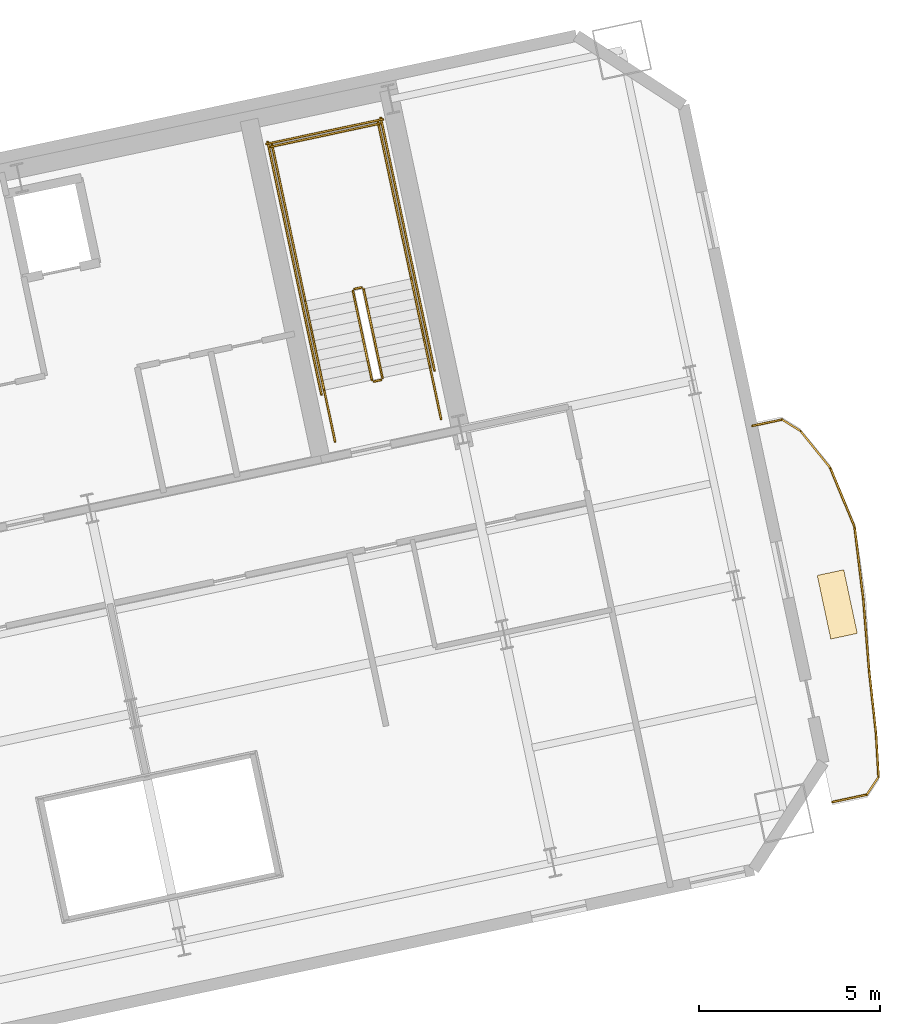
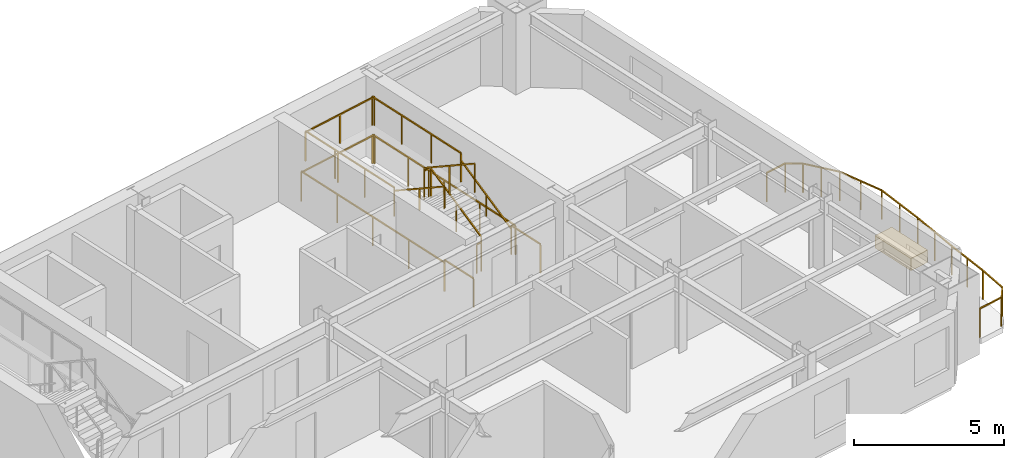
# One storey, part 13 of 13: 24 railings, 1 covering.
"""IFC4 building model written with IfcOpenShell, lengths in metres."""

from ifc_helpers import new_model, si_unit, direction, frame, origin, origin_2d, place, context, subcontext, project, spatial, rectangle, extrude, material, layer, layer_set, type_object, element, save


model = new_model("IFC4")

# Units and contexts
model_context = context("Model", 3, precision=1e-05, world=origin(), true_north=direction((0.0, 1.0)))
body_context = subcontext(model_context, "Body", "Model", "MODEL_VIEW")
ifc_project = project(units=[si_unit("LENGTHUNIT", "METRE"), si_unit("AREAUNIT", "SQUARE_METRE"), si_unit("VOLUMEUNIT", "CUBIC_METRE"), si_unit("PLANEANGLEUNIT", "RADIAN"), si_unit("MASSUNIT", "GRAM", prefix="KILO")], contexts=[model_context])

# Site, building, storey
site_placement = place(None, origin())
site = spatial("IfcSite", under=ifc_project, at=site_placement, CompositionType="ELEMENT")
building_placement = place(site_placement, origin())
building = spatial("IfcBuilding", under=site, at=building_placement, Name="Haevon Station Towers", CompositionType="ELEMENT")
storey_placement = place(building_placement, frame((0.0, 0.0, 126.300048828125)))
storey = spatial("IfcBuildingStorey", under=building, at=storey_placement, Name="L34", CompositionType="ELEMENT", Elevation=126.300048828125)

# Railings
ifc_material_1 = material(Name="Steel S355", Category="steel")
railing_type_1 = type_object("IfcRailingType", Name="GRD-EXT1200", PredefinedType="GUARDRAIL", material=ifc_material_1)
railing_1_placement = place(storey_placement, frame((129.5849609375, 31.5009765625, 0.0)))
element("IfcRailing", 1, at=railing_1_placement, inside=storey, type_object=railing_type_1, Name="L34 Perimeter Guardrail 1", PredefinedType="GUARDRAIL", context=body_context, shape_type="SweptSolid", body=[
    extrude(rectangle(XDim=0.048095703125, YDim=0.048095703125, at=origin_2d()), frame((0.0, 0.0, 1.17578125), z_axis=(0.977706975704, 0.209973973767, 0.0), x_axis=(-0.209973973767, 0.977706975704, 0.0)), (0.0, 0.0, 1.0), 0.974365234375),
    extrude(rectangle(XDim=0.0419921875, YDim=0.0419921875, at=origin_2d()), origin(), (0.0, 0.0, 1.0), 1.15185546875),
    extrude(rectangle(XDim=0.0419921875, YDim=0.0419921875, at=origin_2d()), frame((0.95263671875, 0.20458984375, 0.0)), (0.0, 0.0, 1.0), 1.15185546875),
])
railing_2_placement = place(storey_placement, frame((130.53759765625, 31.70556640625, 0.0)))
element("IfcRailing", 2, at=railing_2_placement, inside=storey, type_object=railing_type_1, Name="L34 Perimeter Guardrail 2", PredefinedType="GUARDRAIL", context=body_context, shape_type="SweptSolid", body=[
    extrude(rectangle(XDim=0.048095703125, YDim=0.048095703125, at=origin_2d()), frame((0.0, 0.0, 1.17578125), z_axis=(0.549194553992, 0.835694526645, 0.0), x_axis=(-0.835694526645, 0.549194553992, 0.0)), (0.0, 0.0, 1.0), 0.58447265625),
    extrude(rectangle(XDim=0.0419921875, YDim=0.0419921875, at=origin_2d()), origin(), (0.0, 0.0, 1.0), 1.15185546875),
    extrude(rectangle(XDim=0.0419921875, YDim=0.0419921875, at=origin_2d()), frame((0.321044921875, 0.488525390625, 0.0)), (0.0, 0.0, 1.0), 1.15185546875),
])
railing_3_placement = place(storey_placement, frame((130.858642578125, 32.194091796875, 0.0)))
element("IfcRailing", 3, at=railing_3_placement, inside=storey, type_object=railing_type_1, Name="L34 Perimeter Guardrail 3", PredefinedType="GUARDRAIL", context=body_context, shape_type="SweptSolid", body=[
    extrude(rectangle(XDim=0.048095703125, YDim=0.048095703125, at=origin_2d()), frame((0.0, 0.0, 1.17578125), z_axis=(-0.05733169626, 0.998355185595, 0.0), x_axis=(-0.998355185595, -0.05733169626, 0.0)), (0.0, 0.0, 1.0), 1.183837890625),
    extrude(rectangle(XDim=0.0419921875, YDim=0.0419921875, at=origin_2d()), origin(), (0.0, 0.0, 1.0), 1.15185546875),
    extrude(rectangle(XDim=0.0419921875, YDim=0.0419921875, at=origin_2d()), frame((-0.06787109375, 1.181884765625, 0.0)), (0.0, 0.0, 1.0), 1.15185546875),
])
railing_4_placement = place(storey_placement, frame((130.790771484375, 33.3759765625, 0.0)))
element("IfcRailing", 4, at=railing_4_placement, inside=storey, type_object=railing_type_1, Name="L34 Perimeter Guardrail 4", PredefinedType="GUARDRAIL", context=body_context, shape_type="SweptSolid", body=[
    extrude(rectangle(XDim=0.048095703125, YDim=0.048095703125, at=origin_2d()), frame((0.0, 0.0, 1.17578125), z_axis=(-0.10867944311, 0.994076847455, 0.0), x_axis=(-0.994076847455, -0.10867944311, 0.0)), (0.0, 0.0, 1.0), 1.759033203125),
    extrude(rectangle(XDim=0.0419921875, YDim=0.0419921875, at=origin_2d()), origin(), (0.0, 0.0, 1.0), 1.15185546875),
    extrude(rectangle(XDim=0.0419921875, YDim=0.0419921875, at=origin_2d()), frame((-0.095703125, 0.874267578125, 0.0)), (0.0, 0.0, 1.0), 1.15185546875),
    extrude(rectangle(XDim=0.0419921875, YDim=0.0419921875, at=origin_2d()), frame((-0.191162109375, 1.74853515625, 0.0)), (0.0, 0.0, 1.0), 1.15185546875),
])
railing_5_placement = place(storey_placement, frame((130.599609375, 35.12451171875, 0.0)))
element("IfcRailing", 5, at=railing_5_placement, inside=storey, type_object=railing_type_1, Name="L34 Perimeter Guardrail 5", PredefinedType="GUARDRAIL", context=body_context, shape_type="SweptSolid", body=[
    extrude(rectangle(XDim=0.048095703125, YDim=0.048095703125, at=origin_2d()), frame((0.0, 0.0, 1.17578125), z_axis=(-0.081584181363, 0.996666454413, 0.0), x_axis=(-0.996666454413, -0.081584181363, 0.0)), (0.0, 0.0, 1.0), 2.0048828125),
    extrude(rectangle(XDim=0.0419921875, YDim=0.0419921875, at=origin_2d()), origin(), (0.0, 0.0, 1.0), 1.15185546875),
    extrude(rectangle(XDim=0.0419921875, YDim=0.0419921875, at=origin_2d()), frame((-0.081787109375, 0.9990234375, 0.0)), (0.0, 0.0, 1.0), 1.15185546875),
    extrude(rectangle(XDim=0.0419921875, YDim=0.0419921875, at=origin_2d()), frame((-0.16357421875, 1.998291015625, 0.0)), (0.0, 0.0, 1.0), 1.15185546875),
])
railing_6_placement = place(storey_placement, frame((130.43603515625, 37.122802734375, 0.0)))
element("IfcRailing", 6, at=railing_6_placement, inside=storey, type_object=railing_type_1, Name="L34 Perimeter Guardrail 6", PredefinedType="GUARDRAIL", context=body_context, shape_type="SweptSolid", body=[
    extrude(rectangle(XDim=0.048095703125, YDim=0.048095703125, at=origin_2d()), frame((0.0, 0.0, 1.17578125), z_axis=(-0.120010837875, 0.992772581608, 0.0), x_axis=(-0.992772581608, -0.120010837875, 0.0)), (0.0, 0.0, 1.0), 2.001708984375),
    extrude(rectangle(XDim=0.0419921875, YDim=0.0419921875, at=origin_2d()), origin(), (0.0, 0.0, 1.0), 1.15185546875),
    extrude(rectangle(XDim=0.0419921875, YDim=0.0419921875, at=origin_2d()), frame((-0.1201171875, 0.99365234375, 0.0)), (0.0, 0.0, 1.0), 1.15185546875),
    extrude(rectangle(XDim=0.0419921875, YDim=0.0419921875, at=origin_2d()), frame((-0.240234375, 1.9873046875, 0.0)), (0.0, 0.0, 1.0), 1.15185546875),
])
railing_7_placement = place(storey_placement, frame((130.19580078125, 39.110107421875, 0.0)))
element("IfcRailing", 7, at=railing_7_placement, inside=storey, type_object=railing_type_1, Name="L34 Perimeter Guardrail 7", PredefinedType="GUARDRAIL", context=body_context, shape_type="SweptSolid", body=[
    extrude(rectangle(XDim=0.048095703125, YDim=0.048095703125, at=origin_2d()), frame((0.0, 0.0, 1.17578125), z_axis=(-0.380057615919, 0.924962814702, 0.0), x_axis=(-0.924962814702, -0.380057615919, 0.0)), (0.0, 0.0, 1.0), 1.774169921875),
    extrude(rectangle(XDim=0.0419921875, YDim=0.0419921875, at=origin_2d()), origin(), (0.0, 0.0, 1.0), 1.15185546875),
    extrude(rectangle(XDim=0.0419921875, YDim=0.0419921875, at=origin_2d()), frame((-0.337158203125, 0.820556640625, 0.0)), (0.0, 0.0, 1.0), 1.15185546875),
    extrude(rectangle(XDim=0.0419921875, YDim=0.0419921875, at=origin_2d()), frame((-0.67431640625, 1.64111328125, 0.0)), (0.0, 0.0, 1.0), 1.15185546875),
])
railing_8_placement = place(storey_placement, frame((129.521484375, 40.751220703125, 0.0)))
element("IfcRailing", 8, at=railing_8_placement, inside=storey, type_object=railing_type_1, Name="L34 Perimeter Guardrail 8", PredefinedType="GUARDRAIL", context=body_context, shape_type="SweptSolid", body=[
    extrude(rectangle(XDim=0.048095703125, YDim=0.048095703125, at=origin_2d()), frame((0.0, 0.0, 1.17578125), z_axis=(-0.628228814181, 0.778028635098, 0.0), x_axis=(-0.778028635098, -0.628228814181, 0.0)), (0.0, 0.0, 1.0), 1.31201171875),
    extrude(rectangle(XDim=0.0419921875, YDim=0.0419921875, at=origin_2d()), origin(), (0.0, 0.0, 1.0), 1.15185546875),
    extrude(rectangle(XDim=0.0419921875, YDim=0.0419921875, at=origin_2d()), frame((-0.412109375, 0.51025390625, 0.0)), (0.0, 0.0, 1.0), 1.15185546875),
    extrude(rectangle(XDim=0.0419921875, YDim=0.0419921875, at=origin_2d()), frame((-0.82421875, 1.020751953125, 0.0)), (0.0, 0.0, 1.0), 1.15185546875),
])
railing_9_placement = place(storey_placement, frame((128.697265625, 41.77197265625, 0.0)))
element("IfcRailing", 9, at=railing_9_placement, inside=storey, type_object=railing_type_1, Name="L34 Perimeter Guardrail 9", PredefinedType="GUARDRAIL", context=body_context, shape_type="SweptSolid", body=[
    extrude(rectangle(XDim=0.048095703125, YDim=0.048095703125, at=origin_2d()), frame((0.0, 0.0, 1.17578125), z_axis=(-0.850160096913, 0.526524272581, 0.0), x_axis=(-0.526524272581, -0.850160096913, 0.0)), (0.0, 0.0, 1.0), 0.594482421875),
    extrude(rectangle(XDim=0.0419921875, YDim=0.0419921875, at=origin_2d()), origin(), (0.0, 0.0, 1.0), 1.15185546875),
    extrude(rectangle(XDim=0.0419921875, YDim=0.0419921875, at=origin_2d()), frame((-0.50537109375, 0.31298828125, 0.0)), (0.0, 0.0, 1.0), 1.15185546875),
])
railing_10_placement = place(storey_placement, frame((128.19189453125, 42.0849609375, 0.0)))
element("IfcRailing", 10, at=railing_10_placement, inside=storey, type_object=railing_type_1, Name="L34 Perimeter Guardrail 10", PredefinedType="GUARDRAIL", context=body_context, shape_type="SweptSolid", body=[
    extrude(rectangle(XDim=0.048095703125, YDim=0.048095703125, at=origin_2d()), frame((0.0, 0.0, 1.17578125), z_axis=(-0.978617737227, -0.20568744343, 0.0), x_axis=(0.20568744343, -0.978617737227, 0.0)), (0.0, 0.0, 1.0), 0.837890625),
    extrude(rectangle(XDim=0.0419921875, YDim=0.0419921875, at=origin_2d()), origin(), (0.0, 0.0, 1.0), 1.15185546875),
    extrude(rectangle(XDim=0.0419921875, YDim=0.0419921875, at=origin_2d()), frame((-0.820068359375, -0.17236328125, 0.0)), (0.0, 0.0, 1.0), 1.15185546875),
])
railing_type_2 = type_object("IfcRailingType", Name="GRD-STR1200", PredefinedType="GUARDRAIL", material=ifc_material_1)
railing_11_placement = place(storey_placement, frame((117.128662109375, 43.23974609375, 0.1650390625)))
element("IfcRailing", 11, at=railing_11_placement, inside=storey, type_object=railing_type_2, Name="L34 ST4 Stair Guard 1", PredefinedType="GUARDRAIL", context=body_context, shape_type="SweptSolid", body=[
    extrude(rectangle(XDim=0.048095703125, YDim=0.048095703125, at=origin_2d()), frame((0.0, 0.0, 1.17578125), z_axis=(-0.179128856099, 0.842723639875, 0.507670877349), x_axis=(-0.978147030254, -0.207914374695, 0.0)), (0.0, 0.0, 1.0), 2.9248046875),
    extrude(rectangle(XDim=0.0419921875, YDim=0.0419921875, at=origin_2d()), origin(), (0.0, 0.0, 1.0), 1.15185546875),
    extrude(rectangle(XDim=0.0419921875, YDim=0.0419921875, at=origin_2d()), frame((-0.261962890625, 1.232421875, 0.742431640625)), (0.0, 0.0, 1.0), 1.15185546875),
    extrude(rectangle(XDim=0.0419921875, YDim=0.0419921875, at=origin_2d()), frame((-0.52392578125, 2.46484375, 1.48486328125)), (0.0, 0.0, 1.0), 1.15185546875),
])
railing_12_placement = place(storey_placement, frame((116.54541015625, 45.7431640625, 1.64990234375)))
element("IfcRailing", 12, at=railing_12_placement, inside=storey, type_object=railing_type_2, Name="L34 ST4 Stair Guard 2", PredefinedType="GUARDRAIL", context=body_context, shape_type="SweptSolid", body=[
    extrude(rectangle(XDim=0.048095703125, YDim=0.048095703125, at=origin_2d()), frame((0.0, 0.0, 1.17578125), z_axis=(-0.97826412705, -0.207362720198, 0.0), x_axis=(0.207362720198, -0.97826412705, 0.0)), (0.0, 0.0, 1.0), 0.2001953125),
    extrude(rectangle(XDim=0.0419921875, YDim=0.0419921875, at=origin_2d()), origin(), (0.0, 0.0, 1.0), 1.15185546875),
    extrude(rectangle(XDim=0.0419921875, YDim=0.0419921875, at=origin_2d()), frame((-0.19580078125, -0.04150390625, 0.0)), (0.0, 0.0, 1.0), 1.15185546875),
])
railing_13_placement = place(storey_placement, frame((117.925048828125, 45.9853515625, 1.64990234375)))
element("IfcRailing", 13, at=railing_13_placement, inside=storey, type_object=railing_type_2, Name="L34 ST4 Stair Guard 3", PredefinedType="GUARDRAIL", context=body_context, shape_type="SweptSolid", body=[
    extrude(rectangle(XDim=0.048095703125, YDim=0.048095703125, at=origin_2d()), frame((0.0, 0.0, 1.17578125), z_axis=(-0.207876551949, 0.978155069071, 0.0), x_axis=(-0.978155069071, -0.207876551949, 0.0)), (0.0, 0.0, 1.0), 4.429931640625),
    extrude(rectangle(XDim=0.0419921875, YDim=0.0419921875, at=origin_2d()), origin(), (0.0, 0.0, 1.0), 1.15185546875),
    extrude(rectangle(XDim=0.0419921875, YDim=0.0419921875, at=origin_2d()), frame((-0.306884765625, 1.4443359375, 0.0)), (0.0, 0.0, 1.0), 1.15185546875),
    extrude(rectangle(XDim=0.0419921875, YDim=0.0419921875, at=origin_2d()), frame((-0.614013671875, 2.888916015625, 0.0)), (0.0, 0.0, 1.0), 1.15185546875),
    extrude(rectangle(XDim=0.0419921875, YDim=0.0419921875, at=origin_2d()), frame((-0.9208984375, 4.333251953125, 0.0)), (0.0, 0.0, 1.0), 1.15185546875),
])
railing_14_placement = place(storey_placement, frame((114.99072265625, 45.361572265625, 1.64990234375)))
element("IfcRailing", 14, at=railing_14_placement, inside=storey, type_object=railing_type_2, Name="L34 ST4 Stair Guard 4", PredefinedType="GUARDRAIL", context=body_context, shape_type="SweptSolid", body=[
    extrude(rectangle(XDim=0.048095703125, YDim=0.048095703125, at=origin_2d()), frame((0.0, 0.0, 1.17578125), z_axis=(-0.207929280007, 0.978143861871, 0.0), x_axis=(-0.978143861871, -0.207929280007, 0.0)), (0.0, 0.0, 1.0), 4.43017578125),
    extrude(rectangle(XDim=0.0419921875, YDim=0.0419921875, at=origin_2d()), origin(), (0.0, 0.0, 1.0), 1.15185546875),
    extrude(rectangle(XDim=0.0419921875, YDim=0.0419921875, at=origin_2d()), frame((-0.30712890625, 1.4443359375, 0.0)), (0.0, 0.0, 1.0), 1.15185546875),
    extrude(rectangle(XDim=0.0419921875, YDim=0.0419921875, at=origin_2d()), frame((-0.614013671875, 2.888916015625, 0.0)), (0.0, 0.0, 1.0), 1.15185546875),
    extrude(rectangle(XDim=0.0419921875, YDim=0.0419921875, at=origin_2d()), frame((-0.921142578125, 4.333251953125, 0.0)), (0.0, 0.0, 1.0), 1.15185546875),
])
railing_15_placement = place(storey_placement, frame((117.0634765625, 50.280029296875, 1.64990234375)))
element("IfcRailing", 15, at=railing_15_placement, inside=storey, type_object=railing_type_2, Name="L34 ST4 Stair Guard 5", PredefinedType="GUARDRAIL", context=body_context, shape_type="SweptSolid", body=[
    extrude(rectangle(XDim=0.048095703125, YDim=0.048095703125, at=origin_2d()), frame((0.0, 0.0, 1.17578125), z_axis=(-0.978146839882, -0.207915270313, 0.0), x_axis=(0.207915270313, -0.978146839882, 0.0)), (0.0, 0.0, 1.0), 3.099853515625),
    extrude(rectangle(XDim=0.0419921875, YDim=0.0419921875, at=origin_2d()), origin(), (0.0, 0.0, 1.0), 1.15185546875),
    extrude(rectangle(XDim=0.0419921875, YDim=0.0419921875, at=origin_2d()), frame((-1.51611328125, -0.322265625, 0.0)), (0.0, 0.0, 1.0), 1.15185546875),
    extrude(rectangle(XDim=0.0419921875, YDim=0.0419921875, at=origin_2d()), frame((-3.0322265625, -0.64453125, 0.0)), (0.0, 0.0, 1.0), 1.15185546875),
])
railing_16_placement = place(storey_placement, frame((116.311279296875, 45.642333984375, 1.81494140625)))
element("IfcRailing", 16, at=railing_16_placement, inside=storey, type_object=railing_type_2, Name="L34 ST4 Stair Guard 6", PredefinedType="GUARDRAIL", context=body_context, shape_type="SweptSolid", body=[
    extrude(rectangle(XDim=0.048095703125, YDim=0.048095703125, at=origin_2d()), frame((0.0, 0.0, 1.17578125), z_axis=(0.179108667068, -0.842712120868, 0.50769712105), x_axis=(0.978151217824, 0.207894673017, 0.0)), (0.0, 0.0, 1.0), 2.92529296875),
    extrude(rectangle(XDim=0.0419921875, YDim=0.0419921875, at=origin_2d()), origin(), (0.0, 0.0, 1.0), 1.15185546875),
    extrude(rectangle(XDim=0.0419921875, YDim=0.0419921875, at=origin_2d()), frame((0.261962890625, -1.232421875, 0.74267578125)), (0.0, 0.0, 1.0), 1.15185546875),
    extrude(rectangle(XDim=0.0419921875, YDim=0.0419921875, at=origin_2d()), frame((0.52392578125, -2.465087890625, 1.485107421875)), (0.0, 0.0, 1.0), 1.15185546875),
])
railing_17_placement = place(storey_placement, frame((117.090087890625, 43.180419921875, 0.0)))
element("IfcRailing", 17, at=railing_17_placement, inside=storey, type_object=railing_type_2, Name="L34 ST4 Stair Guard 7", PredefinedType="GUARDRAIL", context=body_context, shape_type="SweptSolid", body=[
    extrude(rectangle(XDim=0.048095703125, YDim=0.048095703125, at=origin_2d()), frame((0.0, 0.0, 1.17578125), z_axis=(-0.978211583308, -0.207610448392, 0.0), x_axis=(0.207610448392, -0.978211583308, 0.0)), (0.0, 0.0, 1.0), 0.199951171875),
    extrude(rectangle(XDim=0.0419921875, YDim=0.0419921875, at=origin_2d()), origin(), (0.0, 0.0, 1.0), 1.15185546875),
    extrude(rectangle(XDim=0.0419921875, YDim=0.0419921875, at=origin_2d()), frame((-0.195556640625, -0.04150390625, 0.0)), (0.0, 0.0, 1.0), 1.15185546875),
])
for number, where, name in (
    (18, (118.75048828125, 42.10205078125, 0.0), "L34 ST4 Stair Guard 8"),
    (19, (115.816162109375, 41.478271484375, 0.0), "L34 ST4 Stair Guard 9"),
):
    element("IfcRailing", number, at=place(storey_placement, frame(where)), inside=storey, type_object=railing_type_2, Name=name, PredefinedType="GUARDRAIL", context=body_context, shape_type="SweptSolid", body=[
        extrude(rectangle(XDim=0.048095703125, YDim=0.048095703125, at=origin_2d()), frame((0.0, 0.0, 1.17578125), z_axis=(-0.207919161079, 0.978146012851, 0.0), x_axis=(-0.978146012851, -0.207919161079, 0.0)), (0.0, 0.0, 1.0), 1.4501953125),
        extrude(rectangle(XDim=0.0419921875, YDim=0.0419921875, at=origin_2d()), origin(), (0.0, 0.0, 1.0), 1.15185546875),
        extrude(rectangle(XDim=0.0419921875, YDim=0.0419921875, at=origin_2d()), frame((-0.301513671875, 1.41845703125, 0.0)), (0.0, 0.0, 1.0), 1.15185546875),
    ])
railing_18_placement = place(storey_placement, frame((118.567626953125, 43.443359375, 0.0)))
element("IfcRailing", 20, at=railing_18_placement, inside=storey, type_object=railing_type_2, Name="L34 ST4 Stair Guard 10", PredefinedType="GUARDRAIL", context=body_context, shape_type="SweptSolid", body=[
    extrude(rectangle(XDim=0.048095703125, YDim=0.048095703125, at=origin_2d()), frame((0.0, 0.0, 1.17578125), z_axis=(-0.207908168386, 0.978148349443, 0.0), x_axis=(-0.978148349443, -0.207908168386, 0.0)), (0.0, 0.0, 1.0), 7.150146484375),
    extrude(rectangle(XDim=0.0419921875, YDim=0.0419921875, at=origin_2d()), origin(), (0.0, 0.0, 1.0), 1.15185546875),
    extrude(rectangle(XDim=0.0419921875, YDim=0.0419921875, at=origin_2d()), frame((-0.37158203125, 1.74853515625, 0.0)), (0.0, 0.0, 1.0), 1.15185546875),
    extrude(rectangle(XDim=0.0419921875, YDim=0.0419921875, at=origin_2d()), frame((-0.7431640625, 3.4970703125, 0.0)), (0.0, 0.0, 1.0), 1.15185546875),
    extrude(rectangle(XDim=0.0419921875, YDim=0.0419921875, at=origin_2d()), frame((-1.114990234375, 5.245361328125, 0.0)), (0.0, 0.0, 1.0), 1.15185546875),
    extrude(rectangle(XDim=0.0419921875, YDim=0.0419921875, at=origin_2d()), frame((-1.486572265625, 6.993896484375, 0.0)), (0.0, 0.0, 1.0), 1.15185546875),
])
railing_19_placement = place(storey_placement, frame((115.4375, 42.778076171875, 0.0)))
element("IfcRailing", 21, at=railing_19_placement, inside=storey, type_object=railing_type_2, Name="L34 ST4 Stair Guard 11", PredefinedType="GUARDRAIL", context=body_context, shape_type="SweptSolid", body=[
    extrude(rectangle(XDim=0.048095703125, YDim=0.048095703125, at=origin_2d()), frame((0.0, 0.0, 1.17578125), z_axis=(-0.207882442208, 0.978153817261, 0.0), x_axis=(-0.978153817261, -0.207882442208, 0.0)), (0.0, 0.0, 1.0), 7.14990234375),
    extrude(rectangle(XDim=0.0419921875, YDim=0.0419921875, at=origin_2d()), origin(), (0.0, 0.0, 1.0), 1.15185546875),
    extrude(rectangle(XDim=0.0419921875, YDim=0.0419921875, at=origin_2d()), frame((-0.37158203125, 1.74853515625, 0.0)), (0.0, 0.0, 1.0), 1.15185546875),
    extrude(rectangle(XDim=0.0419921875, YDim=0.0419921875, at=origin_2d()), frame((-0.7431640625, 3.496826171875, 0.0)), (0.0, 0.0, 1.0), 1.15185546875),
    extrude(rectangle(XDim=0.0419921875, YDim=0.0419921875, at=origin_2d()), frame((-1.11474609375, 5.2451171875, 0.0)), (0.0, 0.0, 1.0), 1.15185546875),
    extrude(rectangle(XDim=0.0419921875, YDim=0.0419921875, at=origin_2d()), frame((-1.486328125, 6.99365234375, 0.0)), (0.0, 0.0, 1.0), 1.15185546875),
])
railing_20_placement = place(storey_placement, frame((117.140380859375, 50.398681640625, 0.0)))
element("IfcRailing", 22, at=railing_20_placement, inside=storey, type_object=railing_type_2, Name="L34 ST4 Stair Guard 12", PredefinedType="GUARDRAIL", context=body_context, shape_type="SweptSolid", body=[
    extrude(rectangle(XDim=0.048095703125, YDim=0.048095703125, at=origin_2d()), frame((0.0, 0.0, 1.17578125), z_axis=(-0.978135717418, -0.207967589567, 0.0), x_axis=(0.207967589567, -0.978135717418, 0.0)), (0.0, 0.0, 1.0), 3.300048828125),
    extrude(rectangle(XDim=0.0419921875, YDim=0.0419921875, at=origin_2d()), origin(), (0.0, 0.0, 1.0), 1.15185546875),
    extrude(rectangle(XDim=0.0419921875, YDim=0.0419921875, at=origin_2d()), frame((-1.61376953125, -0.34326171875, 0.0)), (0.0, 0.0, 1.0), 1.15185546875),
    extrude(rectangle(XDim=0.0419921875, YDim=0.0419921875, at=origin_2d()), frame((-3.227783203125, -0.686279296875, 0.0)), (0.0, 0.0, 1.0), 1.15185546875),
])
railing_type_3 = type_object("IfcRailingType", Name="HND-STR900", PredefinedType="HANDRAIL", material=ifc_material_1)
railing_21_placement = place(storey_placement, frame((118.448974609375, 43.5205078125, 0.1650390625)))
element("IfcRailing", 23, at=railing_21_placement, inside=storey, type_object=railing_type_3, Name="L34 ST4 Stair Handrail 1", PredefinedType="HANDRAIL", context=body_context, shape_type="SweptSolid", body=[
    extrude(rectangle(XDim=0.048095703125, YDim=0.048095703125, at=origin_2d()), frame((0.0, 0.0, 0.8759765625), z_axis=(-0.179128856099, 0.842723639875, 0.507670877349), x_axis=(-0.978147030254, -0.207914374695, 0.0)), (0.0, 0.0, 1.0), 2.9248046875),
    extrude(rectangle(XDim=0.0419921875, YDim=0.0419921875, at=origin_2d()), origin(), (0.0, 0.0, 1.0), 0.851806640625),
    extrude(rectangle(XDim=0.0419921875, YDim=0.0419921875, at=origin_2d()), frame((-0.261962890625, 1.232421875, 0.742431640625)), (0.0, 0.0, 1.0), 0.851806640625),
    extrude(rectangle(XDim=0.0419921875, YDim=0.0419921875, at=origin_2d()), frame((-0.52392578125, 2.46484375, 1.48486328125)), (0.0, 0.0, 1.0), 0.851806640625),
])
railing_22_placement = place(storey_placement, frame((114.99072265625, 45.361572265625, 1.81494140625)))
element("IfcRailing", 24, at=railing_22_placement, inside=storey, type_object=railing_type_3, Name="L34 ST4 Stair Handrail 2", PredefinedType="HANDRAIL", context=body_context, shape_type="SweptSolid", body=[
    extrude(rectangle(XDim=0.048095703125, YDim=0.048095703125, at=origin_2d()), frame((0.0, 0.0, 0.8759765625), z_axis=(0.179121265225, -0.842687928106, 0.507732831485), x_axis=(0.978147030254, 0.207914374695, 0.0)), (0.0, 0.0, 1.0), 2.925048828125),
    extrude(rectangle(XDim=0.0419921875, YDim=0.0419921875, at=origin_2d()), origin(), (0.0, 0.0, 1.0), 0.851806640625),
    extrude(rectangle(XDim=0.0419921875, YDim=0.0419921875, at=origin_2d()), frame((0.261962890625, -1.232421875, 0.74267578125)), (0.0, 0.0, 1.0), 0.851806640625),
    extrude(rectangle(XDim=0.0419921875, YDim=0.0419921875, at=origin_2d()), frame((0.52392578125, -2.46484375, 1.485107421875)), (0.0, 0.0, 1.0), 0.851806640625),
])

# Covering
ifc_material_2 = material(Name="Architectural planter GRC", Category="concrete")
ifc_layer = layer(ifc_material_2, 0.550048828125)
ifc_layer_set = layer_set([ifc_layer], Name="Architectural planter GRC")
covering_type = type_object("IfcCoveringType", Name="PLN-GRC550", PredefinedType="MOLDING", material=ifc_layer_set)
covering_placement = place(storey_placement, frame((129.71728515625, 36.969970703125, 0.0), z_axis=(0.0, 0.0, 1.0), x_axis=(0.978147600734, 0.207911690818, 0.0)))
element("IfcCovering", 25, at=covering_placement, inside=storey, type_object=covering_type, Name="Tower 2 L34 Scalloped Balcony PLANTER", PredefinedType="MOLDING", context=body_context, shape_type="SweptSolid", body=[
    extrude(rectangle(XDim=0.75, YDim=1.800048828125, at=origin_2d()), origin(), (0.0, 0.0, 1.0), 0.5),
])

save(model, "model.ifc")
